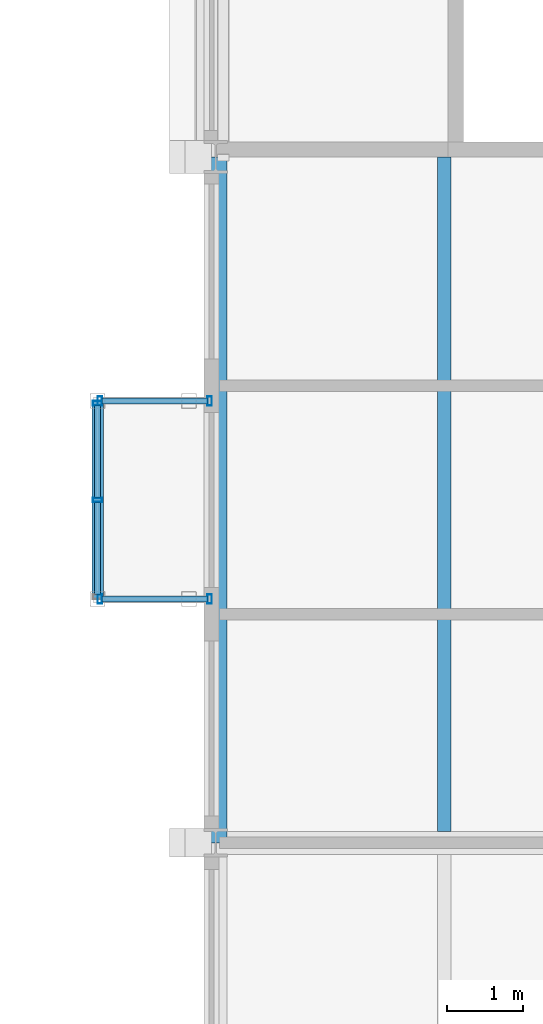
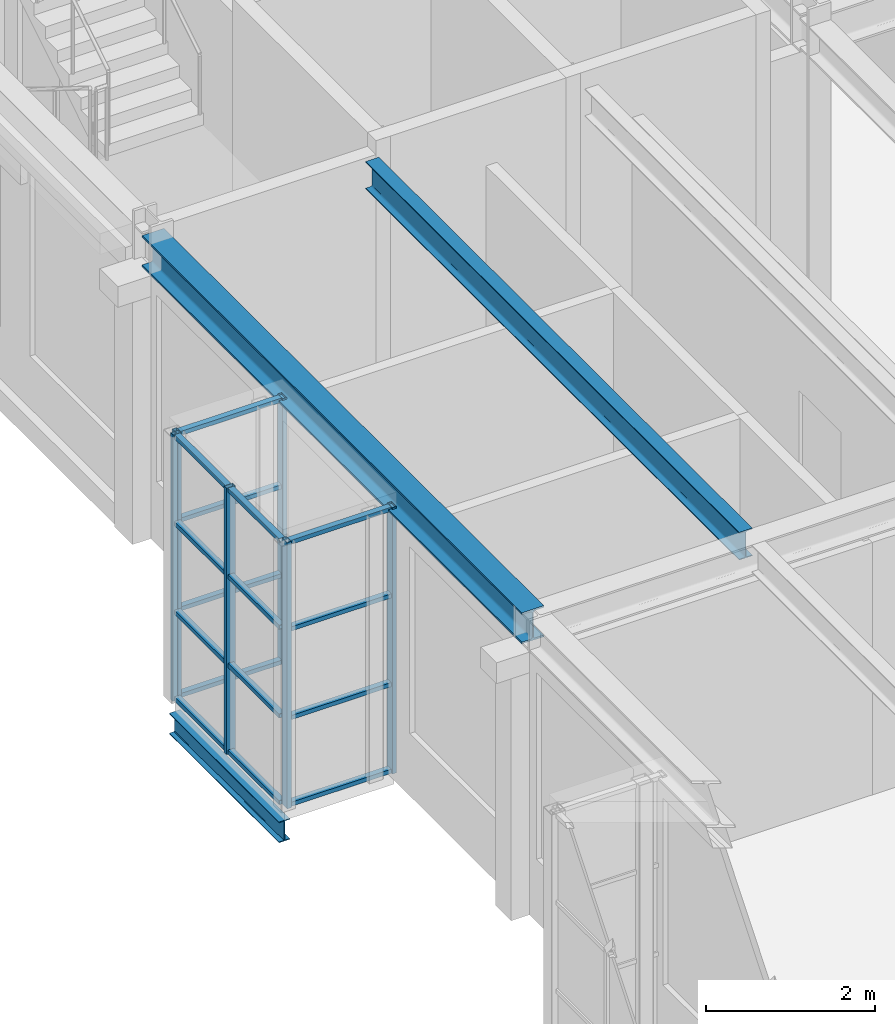
# One storey, part 18 of 111: 22 members, 3 beams, 3 elements without a shape of their own.
"""IFC4 building model written with IfcOpenShell, lengths in metres."""

from ifc_helpers import new_model, si_unit, direction, frame, origin, origin_2d, place, context, subcontext, project, spatial, hollow_rectangle, i_section, extrude, material, material_profile, profile_set, type_object, element, aggregate, save


model = new_model("IFC4")

# Units and contexts
model_context = context("Model", 3, precision=1e-05, world=origin(), true_north=direction((0.0, 1.0)))
body_context = subcontext(model_context, "Body", "Model", "MODEL_VIEW")
ifc_project = project(units=[si_unit("LENGTHUNIT", "METRE"), si_unit("AREAUNIT", "SQUARE_METRE"), si_unit("VOLUMEUNIT", "CUBIC_METRE"), si_unit("PLANEANGLEUNIT", "RADIAN"), si_unit("MASSUNIT", "GRAM", prefix="KILO")], contexts=[model_context])

# Site, building, storey
site_placement = place(None, origin())
site = spatial("IfcSite", under=ifc_project, at=site_placement, CompositionType="ELEMENT")
building_placement = place(site_placement, origin())
building = spatial("IfcBuilding", under=site, at=building_placement, Name="Kallimachos Central Library", CompositionType="ELEMENT")
storey_placement = place(building_placement, frame((0.0, 0.0, 14.39990234375)))
storey = spatial("IfcBuildingStorey", under=building, at=storey_placement, Name="L03", CompositionType="ELEMENT", Elevation=14.39990234375)

# Beams
ifc_material_1 = material(Name="Steel S355J2", Category="steel")
ifc_material_profile_1 = material_profile(ifc_material_1, i_section(OverallWidth=0.300048828125, OverallDepth=0.449951171875, WebThickness=0.013916015625, FlangeThickness=0.02587890625, FilletRadius=0.027099609375, at=origin_2d()), Name="HEB 450")
ifc_profile_set_1 = profile_set([ifc_material_profile_1], Name="Steel S355J2")
beam_type_1 = type_object("IfcBeamType", Name="HEB 450 beam", PredefinedType="BEAM", material=ifc_profile_set_1)
beam_1_placement = place(storey_placement, frame((65.5, 66.0, 4.025146484375), z_axis=(0.0, 1.0, 0.0), x_axis=(-1.0, 0.0, 0.0)))
element("IfcBeam", 1, at=beam_1_placement, inside=storey, type_object=beam_type_1, Name="V4-BEM-L03-024", PredefinedType="BEAM", context=body_context, shape_type="SweptSolid", body=[
    extrude(i_section(OverallWidth=0.300048828125, OverallDepth=0.449951171875, WebThickness=0.013916015625, FlangeThickness=0.02587890625, FilletRadius=0.027099609375, at=origin_2d()), origin(), (0.0, 0.0, 1.0), 9.0),
])
ifc_material_2 = material(Name="Steel S355J2", Category="steel")
ifc_material_profile_2 = material_profile(ifc_material_2, i_section(OverallWidth=0.14990234375, OverallDepth=0.300048828125, WebThickness=0.007080078125, FlangeThickness=0.0107421875, FilletRadius=0.014892578125, at=origin_2d()), Name="IPE 300")
ifc_profile_set_2 = profile_set([ifc_material_profile_2], Name="Steel S355J2")
beam_type_2 = type_object("IfcBeamType", Name="IPE 300 beam", PredefinedType="BEAM", material=ifc_profile_set_2)
beam_2_placement = place(storey_placement, frame((63.949951171875, 69.199951171875, -0.349853515625), z_axis=(0.0, 1.0, 0.0), x_axis=(-1.0, 0.0, 0.0)))
element("IfcBeam", 2, at=beam_2_placement, inside=storey, type_object=beam_type_2, Name="Tribune bay W2 edge beam L03", PredefinedType="BEAM", context=body_context, shape_type="SweptSolid", body=[
    extrude(i_section(OverallWidth=0.14990234375, OverallDepth=0.300048828125, WebThickness=0.007080078125, FlangeThickness=0.0107421875, FilletRadius=0.014892578125, at=origin_2d()), origin(), (0.0, 0.0, 1.0), 2.60009765625),
])
ifc_material_3 = material(Name="Steel S355J2", Category="steel")
ifc_material_profile_3 = material_profile(ifc_material_3, i_section(OverallWidth=0.179931640625, OverallDepth=0.39990234375, WebThickness=0.008544921875, FlangeThickness=0.013427734375, FilletRadius=0.02099609375, at=origin_2d()), Name="IPE 400")
ifc_profile_set_3 = profile_set([ifc_material_profile_3], Name="Steel S355J2")
beam_type_3 = type_object("IfcBeamType", Name="IPE 400 beam", PredefinedType="BEAM", material=ifc_profile_set_3)
beam_3_placement = place(storey_placement, frame((68.5, 66.14990234375, 4.050048828125), z_axis=(0.0, 1.0, 0.0), x_axis=(-1.0, 0.0, 0.0)))
element("IfcBeam", 3, at=beam_3_placement, inside=storey, type_object=beam_type_3, Name="V4-BEM-L03-029", PredefinedType="BEAM", context=body_context, shape_type="SweptSolid", body=[
    extrude(i_section(OverallWidth=0.179931640625, OverallDepth=0.39990234375, WebThickness=0.008544921875, FlangeThickness=0.013427734375, FilletRadius=0.02099609375, at=origin_2d()), origin(), (0.0, 0.0, 1.0), 8.85009765625),
])

# Curtain wall, members
ifc_material_4 = material(Name="Aluminium and laminated glass", Category="aluminium")
curtain_wall_type = type_object("IfcCurtainWallType", Name="Tribune bay glazed screen", PredefinedType="NOTDEFINED", material=ifc_material_4)
curtain_wall_1_placement = place(storey_placement, origin())
curtain_wall_1 = element("IfcCurtainWall", 4, at=curtain_wall_1_placement, inside=storey, type_object=curtain_wall_type, Name="Tribune bay W2 L03 front", PredefinedType="NOTDEFINED")
ifc_material_5 = material(Name="Anodised aluminium", Category="aluminium")
ifc_material_profile_4 = material_profile(ifc_material_5, hollow_rectangle(XDim=0.06005859375, YDim=0.1201171875, WallThickness=0.00390625, at=origin_2d()), Name="ALU MULLION 60x120")
ifc_profile_set_4 = profile_set([ifc_material_profile_4], Name="Anodised aluminium")
member_type_1 = type_object("IfcMemberType", Name="Tribune bay mullion", PredefinedType="MULLION", material=ifc_profile_set_4)
member_1_placement = place(storey_placement, frame((63.949951171875, 70.5, 0.0), z_axis=(0.0, 0.0, 1.0), x_axis=(0.0, 1.0, 0.0)))
member_1 = element("IfcMember", 5, at=member_1_placement, type_object=member_type_1, Name="CW mullion 2", PredefinedType="MULLION", context=body_context, shape_type="SweptSolid", body=[
    extrude(hollow_rectangle(XDim=0.06005859375, YDim=0.1201171875, WallThickness=0.00390625, at=origin_2d()), origin(), (0.0, 0.0, 1.0), 3.85009765625),
])
member_2_placement = place(storey_placement, frame((63.949951171875, 71.77001953125, 0.0), z_axis=(0.0, 0.0, 1.0), x_axis=(0.0, 1.0, 0.0)))
member_2 = element("IfcMember", 6, at=member_2_placement, type_object=member_type_1, Name="CW mullion 3", PredefinedType="MULLION", context=body_context, shape_type="SweptSolid", body=[
    extrude(hollow_rectangle(XDim=0.06005859375, YDim=0.1201171875, WallThickness=0.00390625, at=origin_2d()), origin(), (0.0, 0.0, 1.0), 3.85009765625),
])

curtain_wall_2_placement = place(storey_placement, origin())
curtain_wall_2 = element("IfcCurtainWall", 7, at=curtain_wall_2_placement, inside=storey, type_object=curtain_wall_type, Name="Tribune bay W2 L03 return 1", PredefinedType="NOTDEFINED")
member_3_placement = place(storey_placement, frame((65.419921875, 69.199951171875, 0.0), z_axis=(0.0, 0.0, 1.0), x_axis=(-1.0, 0.0, 0.0)))
member_3 = element("IfcMember", 8, at=member_3_placement, type_object=member_type_1, Name="CW mullion 1", PredefinedType="MULLION", context=body_context, shape_type="SweptSolid", body=[
    extrude(hollow_rectangle(XDim=0.06005859375, YDim=0.1201171875, WallThickness=0.00390625, at=origin_2d()), origin(), (0.0, 0.0, 1.0), 3.85009765625),
])
member_4_placement = place(storey_placement, frame((63.97998046875, 69.199951171875, 0.0), z_axis=(0.0, 0.0, 1.0), x_axis=(-1.0, 0.0, 0.0)))
member_4 = element("IfcMember", 9, at=member_4_placement, type_object=member_type_1, Name="CW mullion 2", PredefinedType="MULLION", context=body_context, shape_type="SweptSolid", body=[
    extrude(hollow_rectangle(XDim=0.06005859375, YDim=0.1201171875, WallThickness=0.00390625, at=origin_2d()), origin(), (0.0, 0.0, 1.0), 3.85009765625),
])

curtain_wall_3_placement = place(storey_placement, origin())
curtain_wall_3 = element("IfcCurtainWall", 10, at=curtain_wall_3_placement, inside=storey, type_object=curtain_wall_type, Name="Tribune bay W2 L03 return 2", PredefinedType="NOTDEFINED")
member_5_placement = place(storey_placement, frame((65.419921875, 71.800048828125, 0.0), z_axis=(0.0, 0.0, 1.0), x_axis=(-1.0, 0.0, 0.0)))
member_5 = element("IfcMember", 11, at=member_5_placement, type_object=member_type_1, Name="CW mullion 1", PredefinedType="MULLION", context=body_context, shape_type="SweptSolid", body=[
    extrude(hollow_rectangle(XDim=0.06005859375, YDim=0.1201171875, WallThickness=0.00390625, at=origin_2d()), origin(), (0.0, 0.0, 1.0), 3.85009765625),
])
member_6_placement = place(storey_placement, frame((63.97998046875, 71.800048828125, 0.0), z_axis=(0.0, 0.0, 1.0), x_axis=(-1.0, 0.0, 0.0)))
member_6 = element("IfcMember", 12, at=member_6_placement, type_object=member_type_1, Name="CW mullion 2", PredefinedType="MULLION", context=body_context, shape_type="SweptSolid", body=[
    extrude(hollow_rectangle(XDim=0.06005859375, YDim=0.1201171875, WallThickness=0.00390625, at=origin_2d()), origin(), (0.0, 0.0, 1.0), 3.85009765625),
])

# Member
ifc_material_6 = material(Name="Anodised aluminium", Category="aluminium")
ifc_material_profile_5 = material_profile(ifc_material_6, hollow_rectangle(XDim=0.06005859375, YDim=0.080078125, WallThickness=0.00390625, at=origin_2d()), Name="ALU TRANSOM 60x80")
ifc_profile_set_5 = profile_set([ifc_material_profile_5], Name="Anodised aluminium")
member_type_2 = type_object("IfcMemberType", Name="Tribune bay transom", PredefinedType="USERDEFINED", material=ifc_profile_set_5)
member_7_placement = place(storey_placement, frame((63.949951171875, 69.260009765625, 0.030029296875), z_axis=(0.0, 1.0, 0.0), x_axis=(0.0, 0.0, 1.0)))
member_7 = element("IfcMember", 13, at=member_7_placement, type_object=member_type_2, Name="CW transom 1.1", ObjectType="TRANSOM", PredefinedType="USERDEFINED", context=body_context, shape_type="SweptSolid", body=[
    extrude(hollow_rectangle(XDim=0.06005859375, YDim=0.080078125, WallThickness=0.00390625, at=origin_2d()), origin(), (0.0, 0.0, 1.0), 1.2099609375),
])

member_8_placement = place(storey_placement, frame((63.949951171875, 69.260009765625, 1.283447265625), z_axis=(0.0, 1.0, 0.0), x_axis=(0.0, 0.0, 1.0)))
member_8 = element("IfcMember", 14, at=member_8_placement, type_object=member_type_2, Name="CW transom 1.2", ObjectType="TRANSOM", PredefinedType="USERDEFINED", context=body_context, shape_type="SweptSolid", body=[
    extrude(hollow_rectangle(XDim=0.06005859375, YDim=0.080078125, WallThickness=0.00390625, at=origin_2d()), origin(), (0.0, 0.0, 1.0), 1.2099609375),
])

member_9_placement = place(storey_placement, frame((63.949951171875, 69.260009765625, 2.566650390625), z_axis=(0.0, 1.0, 0.0), x_axis=(0.0, 0.0, 1.0)))
member_9 = element("IfcMember", 15, at=member_9_placement, type_object=member_type_2, Name="CW transom 1.3", ObjectType="TRANSOM", PredefinedType="USERDEFINED", context=body_context, shape_type="SweptSolid", body=[
    extrude(hollow_rectangle(XDim=0.06005859375, YDim=0.080078125, WallThickness=0.00390625, at=origin_2d()), origin(), (0.0, 0.0, 1.0), 1.2099609375),
])

member_10_placement = place(storey_placement, frame((63.949951171875, 69.260009765625, 3.820068359375), z_axis=(0.0, 1.0, 0.0), x_axis=(0.0, 0.0, 1.0)))
member_10 = element("IfcMember", 16, at=member_10_placement, type_object=member_type_2, Name="CW transom 1.4", ObjectType="TRANSOM", PredefinedType="USERDEFINED", context=body_context, shape_type="SweptSolid", body=[
    extrude(hollow_rectangle(XDim=0.06005859375, YDim=0.080078125, WallThickness=0.00390625, at=origin_2d()), origin(), (0.0, 0.0, 1.0), 1.2099609375),
])

member_11_placement = place(storey_placement, frame((63.949951171875, 70.530029296875, 0.030029296875), z_axis=(0.0, 1.0, 0.0), x_axis=(0.0, 0.0, 1.0)))
member_11 = element("IfcMember", 17, at=member_11_placement, type_object=member_type_2, Name="CW transom 2.1", ObjectType="TRANSOM", PredefinedType="USERDEFINED", context=body_context, shape_type="SweptSolid", body=[
    extrude(hollow_rectangle(XDim=0.06005859375, YDim=0.080078125, WallThickness=0.00390625, at=origin_2d()), origin(), (0.0, 0.0, 1.0), 1.2099609375),
])

member_12_placement = place(storey_placement, frame((63.949951171875, 70.530029296875, 1.283447265625), z_axis=(0.0, 1.0, 0.0), x_axis=(0.0, 0.0, 1.0)))
member_12 = element("IfcMember", 18, at=member_12_placement, type_object=member_type_2, Name="CW transom 2.2", ObjectType="TRANSOM", PredefinedType="USERDEFINED", context=body_context, shape_type="SweptSolid", body=[
    extrude(hollow_rectangle(XDim=0.06005859375, YDim=0.080078125, WallThickness=0.00390625, at=origin_2d()), origin(), (0.0, 0.0, 1.0), 1.2099609375),
])

member_13_placement = place(storey_placement, frame((63.949951171875, 70.530029296875, 2.566650390625), z_axis=(0.0, 1.0, 0.0), x_axis=(0.0, 0.0, 1.0)))
member_13 = element("IfcMember", 19, at=member_13_placement, type_object=member_type_2, Name="CW transom 2.3", ObjectType="TRANSOM", PredefinedType="USERDEFINED", context=body_context, shape_type="SweptSolid", body=[
    extrude(hollow_rectangle(XDim=0.06005859375, YDim=0.080078125, WallThickness=0.00390625, at=origin_2d()), origin(), (0.0, 0.0, 1.0), 1.2099609375),
])

member_14_placement = place(storey_placement, frame((63.949951171875, 70.530029296875, 3.820068359375), z_axis=(0.0, 1.0, 0.0), x_axis=(0.0, 0.0, 1.0)))
member_14 = element("IfcMember", 20, at=member_14_placement, type_object=member_type_2, Name="CW transom 2.4", ObjectType="TRANSOM", PredefinedType="USERDEFINED", context=body_context, shape_type="SweptSolid", body=[
    extrude(hollow_rectangle(XDim=0.06005859375, YDim=0.080078125, WallThickness=0.00390625, at=origin_2d()), origin(), (0.0, 0.0, 1.0), 1.2099609375),
])

aggregate(curtain_wall_1, [member_1, member_2, member_7, member_8, member_9, member_10, member_11, member_12, member_13, member_14])

member_15_placement = place(storey_placement, frame((65.389892578125, 69.199951171875, 0.030029296875), z_axis=(-1.0, 0.0, 0.0), x_axis=(0.0, 0.0, 1.0)))
member_15 = element("IfcMember", 21, at=member_15_placement, type_object=member_type_2, Name="CW transom 1.1", ObjectType="TRANSOM", PredefinedType="USERDEFINED", context=body_context, shape_type="SweptSolid", body=[
    extrude(hollow_rectangle(XDim=0.06005859375, YDim=0.080078125, WallThickness=0.00390625, at=origin_2d()), origin(), (0.0, 0.0, 1.0), 1.3798828125),
])

member_16_placement = place(storey_placement, frame((65.389892578125, 69.199951171875, 1.283447265625), z_axis=(-1.0, 0.0, 0.0), x_axis=(0.0, 0.0, 1.0)))
member_16 = element("IfcMember", 22, at=member_16_placement, type_object=member_type_2, Name="CW transom 1.2", ObjectType="TRANSOM", PredefinedType="USERDEFINED", context=body_context, shape_type="SweptSolid", body=[
    extrude(hollow_rectangle(XDim=0.06005859375, YDim=0.080078125, WallThickness=0.00390625, at=origin_2d()), origin(), (0.0, 0.0, 1.0), 1.3798828125),
])

member_17_placement = place(storey_placement, frame((65.389892578125, 69.199951171875, 2.566650390625), z_axis=(-1.0, 0.0, 0.0), x_axis=(0.0, 0.0, 1.0)))
member_17 = element("IfcMember", 23, at=member_17_placement, type_object=member_type_2, Name="CW transom 1.3", ObjectType="TRANSOM", PredefinedType="USERDEFINED", context=body_context, shape_type="SweptSolid", body=[
    extrude(hollow_rectangle(XDim=0.06005859375, YDim=0.080078125, WallThickness=0.00390625, at=origin_2d()), origin(), (0.0, 0.0, 1.0), 1.3798828125),
])

member_18_placement = place(storey_placement, frame((65.389892578125, 69.199951171875, 3.820068359375), z_axis=(-1.0, 0.0, 0.0), x_axis=(0.0, 0.0, 1.0)))
member_18 = element("IfcMember", 24, at=member_18_placement, type_object=member_type_2, Name="CW transom 1.4", ObjectType="TRANSOM", PredefinedType="USERDEFINED", context=body_context, shape_type="SweptSolid", body=[
    extrude(hollow_rectangle(XDim=0.06005859375, YDim=0.080078125, WallThickness=0.00390625, at=origin_2d()), origin(), (0.0, 0.0, 1.0), 1.3798828125),
])

aggregate(curtain_wall_2, [member_3, member_4, member_15, member_16, member_17, member_18])

member_19_placement = place(storey_placement, frame((65.389892578125, 71.800048828125, 0.030029296875), z_axis=(-1.0, 0.0, 0.0), x_axis=(0.0, 0.0, 1.0)))
member_19 = element("IfcMember", 25, at=member_19_placement, type_object=member_type_2, Name="CW transom 1.1", ObjectType="TRANSOM", PredefinedType="USERDEFINED", context=body_context, shape_type="SweptSolid", body=[
    extrude(hollow_rectangle(XDim=0.06005859375, YDim=0.080078125, WallThickness=0.00390625, at=origin_2d()), origin(), (0.0, 0.0, 1.0), 1.3798828125),
])

member_20_placement = place(storey_placement, frame((65.389892578125, 71.800048828125, 1.283447265625), z_axis=(-1.0, 0.0, 0.0), x_axis=(0.0, 0.0, 1.0)))
member_20 = element("IfcMember", 26, at=member_20_placement, type_object=member_type_2, Name="CW transom 1.2", ObjectType="TRANSOM", PredefinedType="USERDEFINED", context=body_context, shape_type="SweptSolid", body=[
    extrude(hollow_rectangle(XDim=0.06005859375, YDim=0.080078125, WallThickness=0.00390625, at=origin_2d()), origin(), (0.0, 0.0, 1.0), 1.3798828125),
])

member_21_placement = place(storey_placement, frame((65.389892578125, 71.800048828125, 2.566650390625), z_axis=(-1.0, 0.0, 0.0), x_axis=(0.0, 0.0, 1.0)))
member_21 = element("IfcMember", 27, at=member_21_placement, type_object=member_type_2, Name="CW transom 1.3", ObjectType="TRANSOM", PredefinedType="USERDEFINED", context=body_context, shape_type="SweptSolid", body=[
    extrude(hollow_rectangle(XDim=0.06005859375, YDim=0.080078125, WallThickness=0.00390625, at=origin_2d()), origin(), (0.0, 0.0, 1.0), 1.3798828125),
])

member_22_placement = place(storey_placement, frame((65.389892578125, 71.800048828125, 3.820068359375), z_axis=(-1.0, 0.0, 0.0), x_axis=(0.0, 0.0, 1.0)))
member_22 = element("IfcMember", 28, at=member_22_placement, type_object=member_type_2, Name="CW transom 1.4", ObjectType="TRANSOM", PredefinedType="USERDEFINED", context=body_context, shape_type="SweptSolid", body=[
    extrude(hollow_rectangle(XDim=0.06005859375, YDim=0.080078125, WallThickness=0.00390625, at=origin_2d()), origin(), (0.0, 0.0, 1.0), 1.3798828125),
])

aggregate(curtain_wall_3, [member_5, member_6, member_19, member_20, member_21, member_22])

save(model, "model.ifc")
